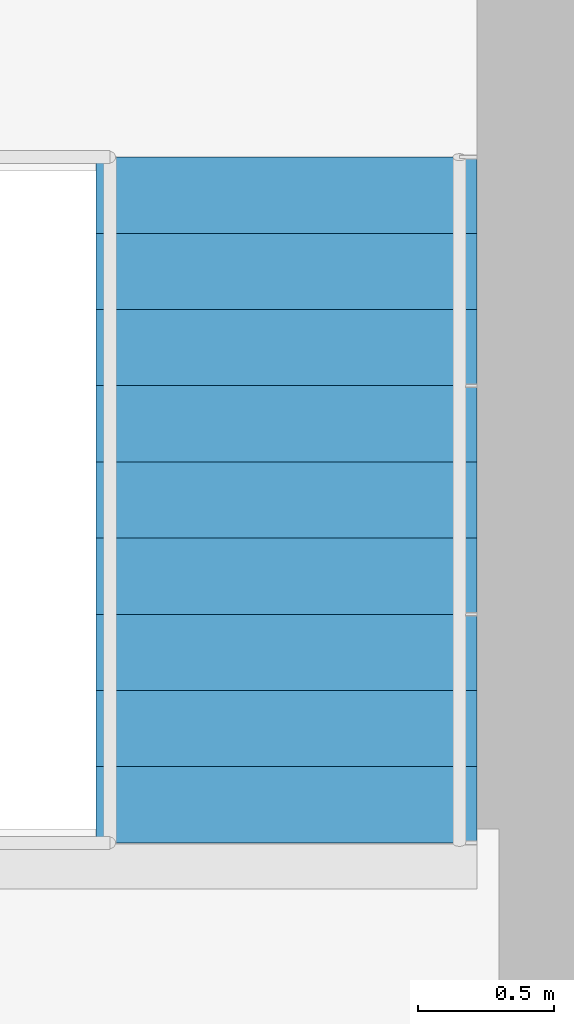
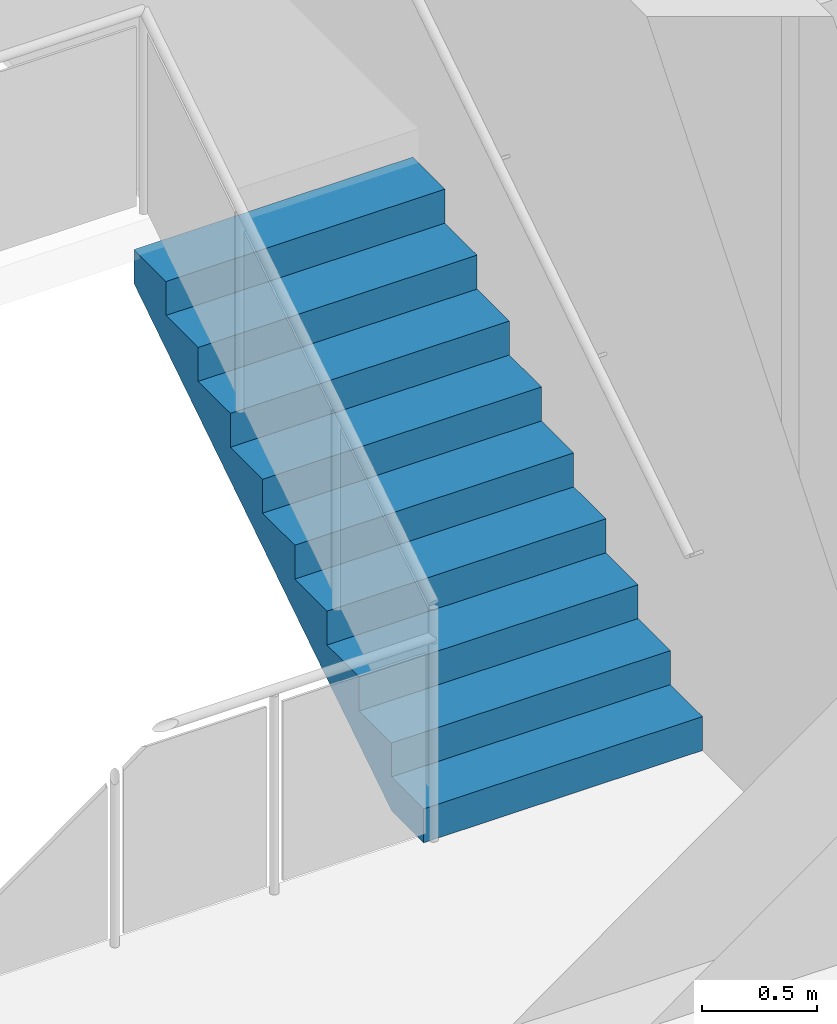
# One storey, part 11 of 12: 1 stair flight, 1 element without a shape of its own.
"""IFC4 building model written with IfcOpenShell, lengths in metres."""

from ifc_helpers import new_model, si_unit, direction, frame, origin, place, context, subcontext, project, spatial, polyline, outline, extrude, material, type_object, element, aggregate, save


model = new_model("IFC4")

# Units and contexts
model_context = context("Model", 3, precision=1e-05, world=origin(), true_north=direction((0.0, 1.0)))
body_context = subcontext(model_context, "Body", "Model", "MODEL_VIEW")
ifc_project = project(units=[si_unit("LENGTHUNIT", "METRE"), si_unit("AREAUNIT", "SQUARE_METRE"), si_unit("VOLUMEUNIT", "CUBIC_METRE"), si_unit("PLANEANGLEUNIT", "RADIAN"), si_unit("MASSUNIT", "GRAM", prefix="KILO")], contexts=[model_context])

# Site, building, storey
site_placement = place(None, origin())
site = spatial("IfcSite", under=ifc_project, at=site_placement, CompositionType="ELEMENT")
building_placement = place(site_placement, origin())
building = spatial("IfcBuilding", under=site, at=building_placement, Name="Torre Alcanfor", CompositionType="ELEMENT")
storey_placement = place(building_placement, frame((0.0, 0.0, 226.5)))
storey = spatial("IfcBuildingStorey", under=building, at=storey_placement, Name="L59", CompositionType="ELEMENT", Elevation=226.5)

# Stair, stair flight
ifc_material_1 = material(Name="Concrete f'c 35 MPa", Category="concrete")
stair_type = type_object("IfcStairType", Name="Exit stair S2 1400 wide", PredefinedType="HALF_TURN_STAIR", material=ifc_material_1)
stair_placement = place(storey_placement, origin())
stair = element("IfcStair", 1, at=stair_placement, inside=storey, type_object=stair_type, Name="Stair S2 L59 to L60", PredefinedType="HALF_TURN_STAIR")
ifc_material_2 = material(Name="Concrete f'c 35 MPa", Category="concrete")
stair_flight_type = type_object("IfcStairFlightType", Name="Stair flight 1400", PredefinedType="STRAIGHT", material=ifc_material_2)
stair_flight_placement = place(storey_placement, frame((36.75, 30.949951171875, 0.0), z_axis=(0.0, 0.0, 1.0), x_axis=(0.0, 1.0, 0.0)))
stair_flight = element("IfcStairFlight", 2, at=stair_flight_placement, type_object=stair_flight_type, Name="S2 flight 1", NumberOfRisers=10, NumberOfTreads=9, PredefinedType="STRAIGHT", RiserHeight=0.18, TreadLength=0.28, context=body_context, shape_type="SweptSolid", body=[
    extrude(outline(polyline([(0.0, 0.0), (0.0, 0.179931640625), (0.280029296875, 0.179931640625), (0.280029296875, 0.360107421875), (0.56005859375, 0.360107421875), (0.56005859375, 0.5400390625), (0.840087890625, 0.5400390625), (0.840087890625, 0.719970703125), (1.1201171875, 0.719970703125), (1.1201171875, 0.89990234375), (1.39990234375, 0.89990234375), (1.39990234375, 1.080078125), (1.679931640625, 1.080078125), (1.679931640625, 1.260009765625), (1.9599609375, 1.260009765625), (1.9599609375, 1.43994140625), (2.239990234375, 1.43994140625), (2.239990234375, 1.6201171875), (2.52001953125, 1.6201171875), (2.52001953125, 1.800048828125), (2.52001953125, 1.44189453125), (0.277099609375, 0.0), (0.0, 0.0)])), frame((0.0, 0.699951171875, 0.0), z_axis=(0.0, -1.0, 0.0), x_axis=(1.0, 0.0, 0.0)), (0.0, 0.0, 1.0), 1.39990234375),
])
aggregate(stair, [stair_flight])

save(model, "model.ifc")
